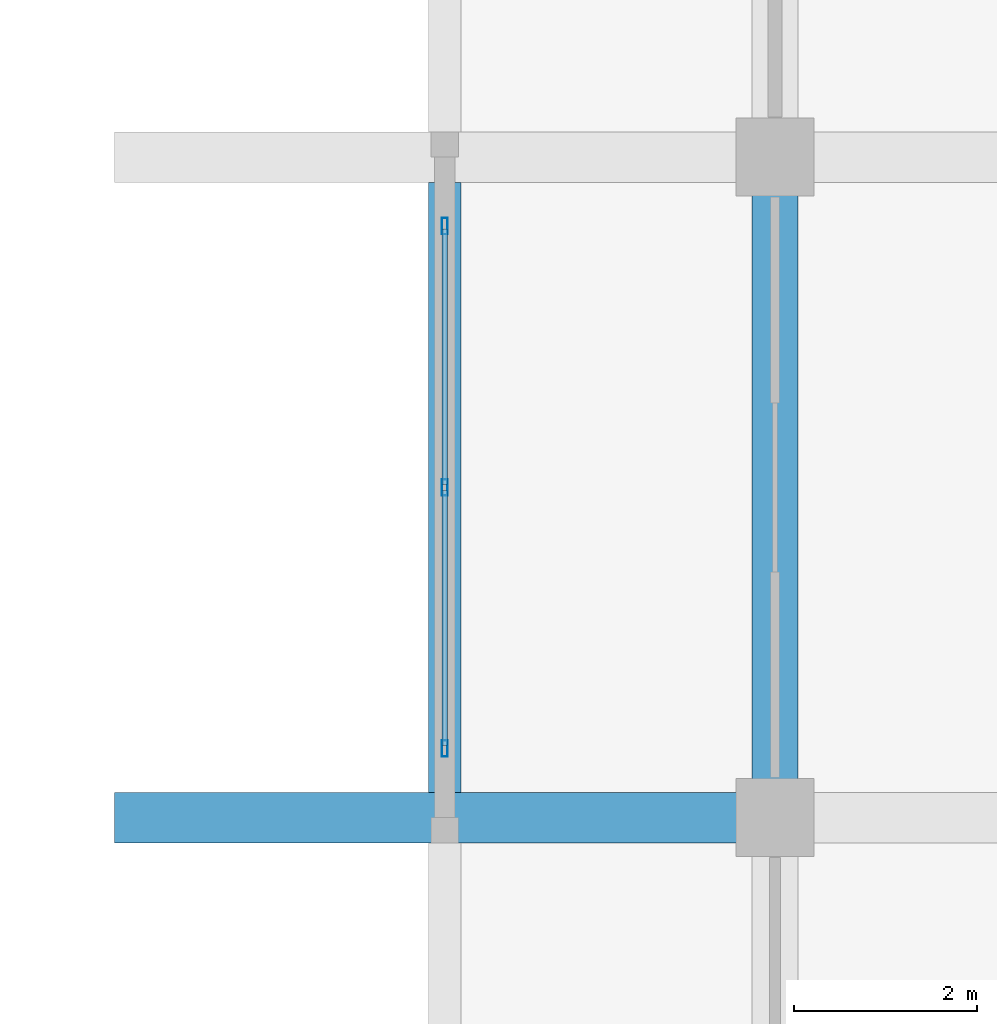
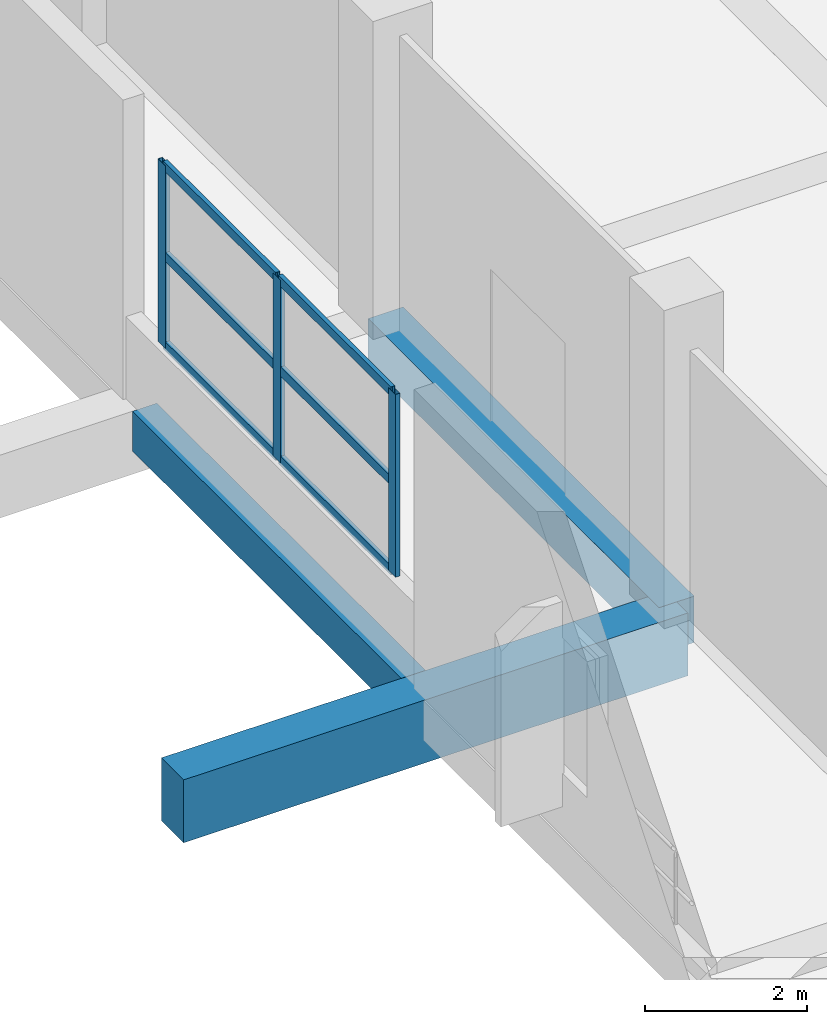
# One storey, part 60 of 181: 9 members, 3 beams, 1 element without a shape of its own.
"""IFC4 building model written with IfcOpenShell, lengths in metres."""

from ifc_helpers import new_model, si_unit, direction, frame, origin, origin_2d, place, context, subcontext, project, spatial, rectangle, hollow_rectangle, extrude, material, layer, layer_set, material_profile, profile_set, type_object, element, aggregate, save


model = new_model("IFC4")

# Units and contexts
model_context = context("Model", 3, precision=1e-05, world=origin(), true_north=direction((0.0, 1.0)))
body_context = subcontext(model_context, "Body", "Model", "MODEL_VIEW")
ifc_project = project(units=[si_unit("LENGTHUNIT", "METRE"), si_unit("AREAUNIT", "SQUARE_METRE"), si_unit("VOLUMEUNIT", "CUBIC_METRE"), si_unit("PLANEANGLEUNIT", "RADIAN"), si_unit("MASSUNIT", "GRAM", prefix="KILO")], contexts=[model_context])

# Site, building, storey
site_placement = place(None, origin())
site = spatial("IfcSite", under=ifc_project, at=site_placement, CompositionType="ELEMENT")
building_placement = place(site_placement, origin())
building = spatial("IfcBuilding", under=site, at=building_placement, Name="Seraya Terrace Polytechnic", CompositionType="ELEMENT")
storey_placement = place(building_placement, frame((0.0, 0.0, 4.800048828125)))
storey = spatial("IfcBuildingStorey", under=building, at=storey_placement, Name="L01", CompositionType="ELEMENT", Elevation=4.800048828125)

# Beams
ifc_material_1 = material(Name="Concrete C40/50", Category="concrete")
ifc_material_profile_1 = material_profile(ifc_material_1, rectangle(XDim=0.550048828125, YDim=0.949951171875, at=origin_2d()), Name="RC 550x950")
ifc_profile_set_1 = profile_set([ifc_material_profile_1], Name="Concrete C40/50")
beam_type_1 = type_object("IfcBeamType", Name="BM-03", PredefinedType="BEAM", material=ifc_profile_set_1)
beam_1_placement = place(storey_placement, frame((0.0, 64.800048828125, -0.47509765625), z_axis=(1.0, 0.0, 0.0), x_axis=(0.0, 1.0, 0.0)))
element("IfcBeam", 1, at=beam_1_placement, inside=storey, type_object=beam_type_1, Name="Beam BM-03 L01 X (0.0..7.2, 64.8)", PredefinedType="BEAM", context=body_context, shape_type="SweptSolid", body=[
    extrude(rectangle(XDim=0.550048828125, YDim=0.949951171875, at=origin_2d()), origin(), (0.0, 0.0, 1.0), 7.199951171875),
])
ifc_material_profile_2 = material_profile(ifc_material_1, rectangle(XDim=0.5, YDim=0.699951171875, at=origin_2d()), Name="RC 500x700")
ifc_profile_set_2 = profile_set([ifc_material_profile_2], Name="Concrete C40/50")
beam_type_2 = type_object("IfcBeamType", Name="BM-07", PredefinedType="BEAM", material=ifc_profile_set_2)
beam_2_placement = place(storey_placement, frame((7.199951171875, 64.800048828125, -0.35009765625), z_axis=(0.0, 1.0, 0.0), x_axis=(-1.0, 0.0, 0.0)))
element("IfcBeam", 2, at=beam_2_placement, inside=storey, type_object=beam_type_2, Name="Beam BM-07 L01 Y (7.2, 64.8..72.0)", PredefinedType="BEAM", context=body_context, shape_type="SweptSolid", body=[
    extrude(rectangle(XDim=0.5, YDim=0.699951171875, at=origin_2d()), origin(), (0.0, 0.0, 1.0), 7.199951171875),
])

# Curtain wall, members
ifc_material_2 = material(Name="Anodised aluminium EN AW-6063 T6", Category="aluminium")
ifc_layer = layer(ifc_material_2, 0.179931640625, Name="CW-04")
ifc_layer_set = layer_set([ifc_layer], Name="Anodised aluminium EN AW-6063 T6")
curtain_wall_type = type_object("IfcCurtainWallType", Name="CW-04", PredefinedType="NOTDEFINED", material=ifc_layer_set)
curtain_wall_placement = place(storey_placement, origin())
curtain_wall = element("IfcCurtainWall", 3, at=curtain_wall_placement, inside=storey, type_object=curtain_wall_type, Name="Unitised curtain wall CW-04 (CW-L01-004)", PredefinedType="NOTDEFINED")
ifc_material_profile_3 = material_profile(ifc_material_2, hollow_rectangle(XDim=0.06494140625, YDim=0.179931640625, WallThickness=0.00390625, at=origin_2d()), Name="RHS 180x65x4.0")
ifc_profile_set_3 = profile_set([ifc_material_profile_3], Name="Anodised aluminium EN AW-6063 T6")
member_type_1 = type_object("IfcMemberType", Name="CWM-01", PredefinedType="MULLION", material=ifc_profile_set_3)
member_1_placement = place(storey_placement, frame((3.60009765625, 65.552490234375, 1.239990234375), z_axis=(0.0, 0.0, 1.0), x_axis=(-1.0, 0.0, 0.0)))
member_1 = element("IfcMember", 4, at=member_1_placement, type_object=member_type_1, Name="CW-04 mullion 1", PredefinedType="MULLION", context=body_context, shape_type="SweptSolid", body=[
    extrude(hollow_rectangle(XDim=0.06494140625, YDim=0.179931640625, WallThickness=0.00390625, at=origin_2d()), origin(), (0.0, 0.0, 1.0), 2.760009765625),
])
member_2_placement = place(storey_placement, frame((3.60009765625, 68.39990234375, 1.239990234375), z_axis=(0.0, 0.0, 1.0), x_axis=(-1.0, 0.0, 0.0)))
member_2 = element("IfcMember", 5, at=member_2_placement, type_object=member_type_1, Name="CW-04 mullion 2", PredefinedType="MULLION", context=body_context, shape_type="SweptSolid", body=[
    extrude(hollow_rectangle(XDim=0.06494140625, YDim=0.179931640625, WallThickness=0.00390625, at=origin_2d()), origin(), (0.0, 0.0, 1.0), 2.760009765625),
])
member_3_placement = place(storey_placement, frame((3.60009765625, 71.24755859375, 1.239990234375), z_axis=(0.0, 0.0, 1.0), x_axis=(-1.0, 0.0, 0.0)))
member_3 = element("IfcMember", 6, at=member_3_placement, type_object=member_type_1, Name="CW-04 mullion 3", PredefinedType="MULLION", context=body_context, shape_type="SweptSolid", body=[
    extrude(hollow_rectangle(XDim=0.06494140625, YDim=0.179931640625, WallThickness=0.00390625, at=origin_2d()), origin(), (0.0, 0.0, 1.0), 2.760009765625),
])
ifc_material_profile_4 = material_profile(ifc_material_2, hollow_rectangle(XDim=0.06005859375, YDim=0.139892578125, WallThickness=0.00341796875, at=origin_2d()), Name="RHS 140x60x3.5")
ifc_profile_set_4 = profile_set([ifc_material_profile_4], Name="Anodised aluminium EN AW-6063 T6")
member_type_2 = type_object("IfcMemberType", Name="CWT-01", PredefinedType="USERDEFINED", material=ifc_profile_set_4)
member_4_placement = place(storey_placement, frame((3.60009765625, 65.5849609375, 1.27001953125), z_axis=(0.0, 1.0, 0.0), x_axis=(-1.0, 0.0, 0.0)))
member_4 = element("IfcMember", 7, at=member_4_placement, type_object=member_type_2, Name="CW-04 transom 1.1", ObjectType="TRANSOM", PredefinedType="USERDEFINED", context=body_context, shape_type="SweptSolid", body=[
    extrude(hollow_rectangle(XDim=0.06005859375, YDim=0.139892578125, WallThickness=0.00341796875, at=origin_2d()), origin(), (0.0, 0.0, 1.0), 2.782470703125),
])
member_5_placement = place(storey_placement, frame((3.60009765625, 65.5849609375, 2.619873046875), z_axis=(0.0, 1.0, 0.0), x_axis=(-1.0, 0.0, 0.0)))
member_5 = element("IfcMember", 8, at=member_5_placement, type_object=member_type_2, Name="CW-04 transom 1.2", ObjectType="TRANSOM", PredefinedType="USERDEFINED", context=body_context, shape_type="SweptSolid", body=[
    extrude(hollow_rectangle(XDim=0.06005859375, YDim=0.139892578125, WallThickness=0.00341796875, at=origin_2d()), origin(), (0.0, 0.0, 1.0), 2.782470703125),
])
member_6_placement = place(storey_placement, frame((3.60009765625, 65.5849609375, 3.969970703125), z_axis=(0.0, 1.0, 0.0), x_axis=(-1.0, 0.0, 0.0)))
member_6 = element("IfcMember", 9, at=member_6_placement, type_object=member_type_2, Name="CW-04 transom 1.3", ObjectType="TRANSOM", PredefinedType="USERDEFINED", context=body_context, shape_type="SweptSolid", body=[
    extrude(hollow_rectangle(XDim=0.06005859375, YDim=0.139892578125, WallThickness=0.00341796875, at=origin_2d()), origin(), (0.0, 0.0, 1.0), 2.782470703125),
])
member_7_placement = place(storey_placement, frame((3.60009765625, 68.4326171875, 1.27001953125), z_axis=(0.0, 1.0, 0.0), x_axis=(-1.0, 0.0, 0.0)))
member_7 = element("IfcMember", 10, at=member_7_placement, type_object=member_type_2, Name="CW-04 transom 2.1", ObjectType="TRANSOM", PredefinedType="USERDEFINED", context=body_context, shape_type="SweptSolid", body=[
    extrude(hollow_rectangle(XDim=0.06005859375, YDim=0.139892578125, WallThickness=0.00341796875, at=origin_2d()), origin(), (0.0, 0.0, 1.0), 2.782470703125),
])
member_8_placement = place(storey_placement, frame((3.60009765625, 68.4326171875, 2.619873046875), z_axis=(0.0, 1.0, 0.0), x_axis=(-1.0, 0.0, 0.0)))
member_8 = element("IfcMember", 11, at=member_8_placement, type_object=member_type_2, Name="CW-04 transom 2.2", ObjectType="TRANSOM", PredefinedType="USERDEFINED", context=body_context, shape_type="SweptSolid", body=[
    extrude(hollow_rectangle(XDim=0.06005859375, YDim=0.139892578125, WallThickness=0.00341796875, at=origin_2d()), origin(), (0.0, 0.0, 1.0), 2.782470703125),
])
member_9_placement = place(storey_placement, frame((3.60009765625, 68.4326171875, 3.969970703125), z_axis=(0.0, 1.0, 0.0), x_axis=(-1.0, 0.0, 0.0)))
member_9 = element("IfcMember", 12, at=member_9_placement, type_object=member_type_2, Name="CW-04 transom 2.3", ObjectType="TRANSOM", PredefinedType="USERDEFINED", context=body_context, shape_type="SweptSolid", body=[
    extrude(hollow_rectangle(XDim=0.06005859375, YDim=0.139892578125, WallThickness=0.00341796875, at=origin_2d()), origin(), (0.0, 0.0, 1.0), 2.782470703125),
])
aggregate(curtain_wall, [member_1, member_2, member_3, member_4, member_5, member_6, member_7, member_8, member_9])

# Beam
ifc_material_profile_5 = material_profile(ifc_material_1, rectangle(XDim=0.35009765625, YDim=0.60009765625, at=origin_2d()), Name="RC 350x600")
ifc_profile_set_5 = profile_set([ifc_material_profile_5], Name="Concrete C40/50")
beam_type_3 = type_object("IfcBeamType", Name="JS-02", PredefinedType="JOIST", material=ifc_profile_set_5)
beam_3_placement = place(storey_placement, frame((3.60009765625, 65.074951171875, -0.300048828125), z_axis=(0.0, 1.0, 0.0), x_axis=(-1.0, 0.0, 0.0)))
element("IfcBeam", 13, at=beam_3_placement, inside=storey, type_object=beam_type_3, Name="Secondary joist JS-02 L01", PredefinedType="JOIST", context=body_context, shape_type="SweptSolid", body=[
    extrude(rectangle(XDim=0.35009765625, YDim=0.60009765625, at=origin_2d()), origin(), (0.0, 0.0, 1.0), 6.650146484375),
])

save(model, "model.ifc")
